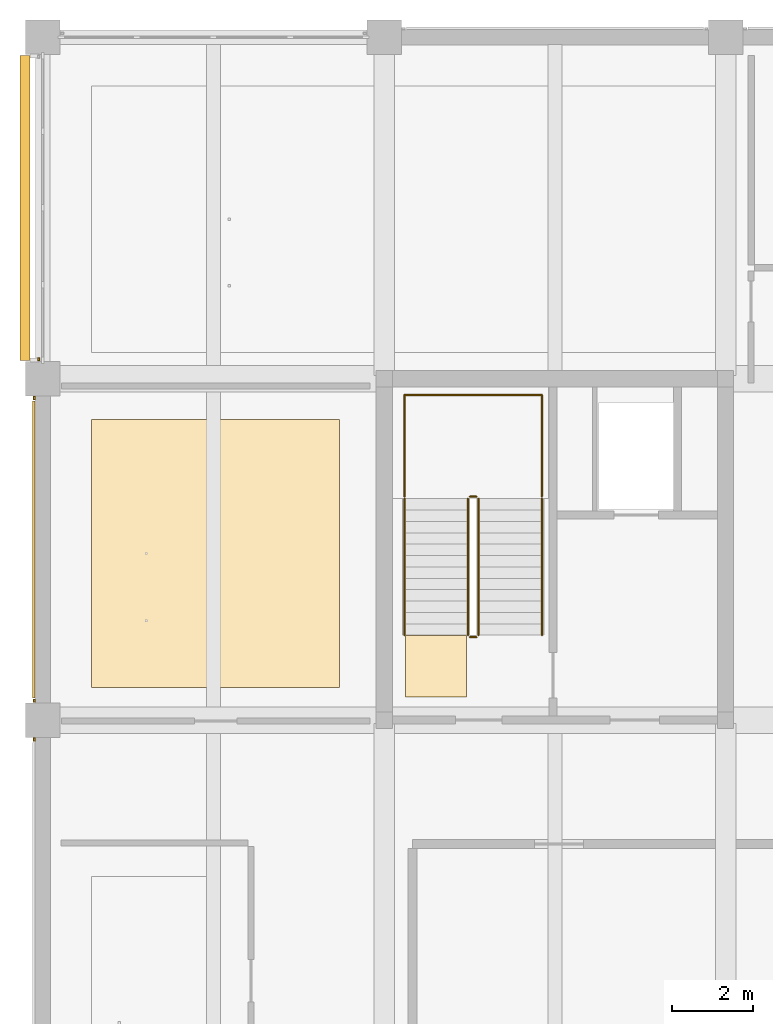
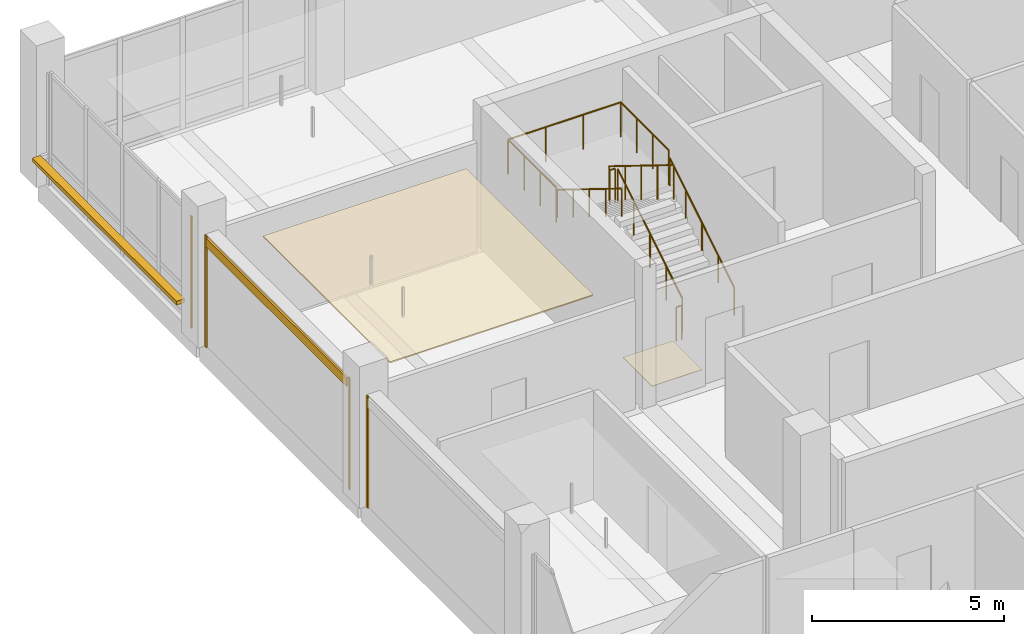
# One storey, part 26 of 36: 7 coverings, 7 railings, 1 shading device.
"""IFC4 building model written with IfcOpenShell, lengths in metres."""

from ifc_helpers import new_model, si_unit, direction, frame, origin, origin_2d, place, context, subcontext, project, spatial, polyline, rectangle, circle, outline, extrude, material, layer, layer_set, type_object, element, save


model = new_model("IFC4")

# Units and contexts
model_context = context("Model", 3, precision=1e-05, world=origin(), true_north=direction((0.0, 1.0)))
body_context = subcontext(model_context, "Body", "Model", "MODEL_VIEW")
ifc_project = project(units=[si_unit("LENGTHUNIT", "METRE"), si_unit("AREAUNIT", "SQUARE_METRE"), si_unit("VOLUMEUNIT", "CUBIC_METRE"), si_unit("PLANEANGLEUNIT", "RADIAN"), si_unit("MASSUNIT", "GRAM", prefix="KILO")], contexts=[model_context])

# Site, building, storey
site_placement = place(None, origin())
site = spatial("IfcSite", under=ifc_project, at=site_placement, CompositionType="ELEMENT")
building_placement = place(site_placement, origin())
building = spatial("IfcBuilding", under=site, at=building_placement, Name="Telukmera Botanical Conservatory", CompositionType="ELEMENT")
storey_placement = place(building_placement, frame((0.0, 0.0, 24.0)))
storey = spatial("IfcBuildingStorey", under=building, at=storey_placement, Name="L05", CompositionType="ELEMENT", Elevation=24.0)

# Coverings
ifc_material_1 = material(Name="Perforated gypsum acoustic ceiling")
ifc_layer_1 = layer(ifc_material_1, 0.0400390625)
ifc_layer_set_1 = layer_set([ifc_layer_1], Name="Perforated gypsum acoustic ceiling")
covering_type_1 = type_object("IfcCoveringType", Name="COV-CEIL-40", PredefinedType="CEILING", material=ifc_layer_set_1)
covering_1_placement = place(storey_placement, frame((0.0, 0.0, 3.31005859375)))
element("IfcCovering", 1, at=covering_1_placement, inside=storey, type_object=covering_type_1, Name="L05 Orchidaceae Curation Studio Suspended Acoustic Ceiling", PredefinedType="CEILING", context=body_context, shape_type="SweptSolid", body=[
    extrude(outline(polyline([(51.60009765625, 26.800048828125), (57.699951171875, 26.800048828125), (57.699951171875, 33.39990234375), (51.60009765625, 33.39990234375), (51.60009765625, 26.800048828125)])), origin(), (0.0, 0.0, 1.0), 0.0400390625),
])
ifc_material_2 = material(Name="Honed granite non-slip flooring", Category="masonry")
ifc_layer_2 = layer(ifc_material_2, 0.011962890625)
ifc_layer_set_2 = layer_set([ifc_layer_2], Name="Honed granite non-slip flooring")
covering_type_2 = type_object("IfcCoveringType", Name="COV-FLR-12", PredefinedType="FLOORING", material=ifc_layer_set_2)
covering_2_placement = place(storey_placement, origin())
element("IfcCovering", 2, at=covering_2_placement, inside=storey, type_object=covering_type_2, Name="L05 ST1 Non-Slip Stair Landing Finish", PredefinedType="FLOORING", context=body_context, shape_type="SweptSolid", body=[
    extrude(outline(polyline([(60.830078125, 26.570068359375), (60.830078125, 28.0849609375), (59.330078125, 28.0849609375), (59.330078125, 26.570068359375), (60.830078125, 26.570068359375)])), origin(), (0.0, 0.0, 1.0), 0.011962890625),
])
ifc_material_3 = material(Name="Granite-faced precast concrete C40/50", Category="masonry")
ifc_layer_3 = layer(ifc_material_3, 0.0400390625)
ifc_layer_set_3 = layer_set([ifc_layer_3], Name="Granite-faced precast concrete C40/50")
covering_type_3 = type_object("IfcCoveringType", Name="Granite Precast Column Pier Reveal Casing", PredefinedType="CLADDING", material=ifc_layer_set_3)
for number, where, z_axis, x_axis, name in (
    (3, (50.18994140625, 25.52294921875, 0.0), (0.0, 0.0, 1.0), (0.0, 1.0, 0.0), "Granite Pier Reveal V4:L05:W2 R"),
    (4, (50.18994140625, 26.47705078125, 0.0), (0.0, 0.0, 1.0), (0.0, 1.0, 0.0), "Granite Pier Reveal V4:L05:W3 L"),
    (5, (50.18994140625, 33.923095703125, 0.0), (0.0, 0.0, 1.0), (0.0, 1.0, 0.0), "Granite Pier Reveal V4:L05:W3 R"),
    (6, (50.300048828125, 34.876953125, 0.0), (0.0, 0.0, 1.0), (0.0, 1.0, 0.0), "Granite Pier Reveal V4:L05:W4 L"),
):
    element("IfcCovering", number, at=place(storey_placement, frame(where, z_axis=z_axis, x_axis=x_axis)), inside=storey, type_object=covering_type_3, Name=name, PredefinedType="CLADDING", context=body_context, shape_type="SweptSolid", body=[
        extrude(rectangle(XDim=0.080078125, YDim=0.0400390625, at=origin_2d()), origin(), (0.0, 0.0, 1.0), 3.550048828125),
    ])

# Shading device
ifc_material_4 = material(Name="Perforated terracotta-anodised aluminium 6063-T6", Category="masonry")
ifc_layer_4 = layer(ifc_material_4, 0.044921875)
ifc_layer_set_4 = layer_set([ifc_layer_4], Name="Perforated terracotta-anodised aluminium 6063-T6")
shading_device_type = type_object("IfcShadingDeviceType", Name="Perforated Terracotta Aluminium Monsoon Brise Soleil", PredefinedType="JALOUSIE", material=ifc_layer_set_4)
shading_device_placement = place(storey_placement, frame((49.9599609375, 38.60009765625, 0.889892578125), z_axis=(0.0, 0.0, 1.0), x_axis=(0.0, 1.0, 0.0)))
element("IfcShadingDevice", 7, at=shading_device_placement, inside=storey, type_object=shading_device_type, Name="Monsoon Shading BS01 V4:L05:W4", PredefinedType="JALOUSIE", context=body_context, shape_type="SweptSolid", body=[
    extrude(rectangle(XDim=7.506103515625, YDim=0.239990234375, at=origin_2d()), origin(), (0.0, 0.0, 1.0), 0.1201171875),
])

# Covering
ifc_material_5 = material(Name="Terracotta-faced precast concrete C40/50", Category="masonry")
ifc_layer_5 = layer(ifc_material_5, 0.06005859375)
ifc_layer_set_5 = layer_set([ifc_layer_5], Name="Terracotta-faced precast concrete C40/50")
covering_type_4 = type_object("IfcCoveringType", Name="Polychrome Terracotta Facade Band Cladding", PredefinedType="CLADDING", material=ifc_layer_set_5)
covering_3_placement = place(storey_placement, frame((50.179931640625, 30.199951171875, 3.22998046875), z_axis=(0.0, 0.0, 1.0), x_axis=(0.0, 1.0, 0.0)))
element("IfcCovering", 8, at=covering_3_placement, inside=storey, type_object=covering_type_4, Name="Polychrome Terracotta Band V4:L05:W3", PredefinedType="CLADDING", context=body_context, shape_type="SweptSolid", body=[
    extrude(rectangle(XDim=7.305908203125, YDim=0.06005859375, at=origin_2d()), origin(), (0.0, 0.0, 1.0), 0.280029296875),
])

# Railings
ifc_material_6 = material(Name="Steel S355", Category="steel")
railing_type_1 = type_object("IfcRailingType", Name="RL-GUARD-1100", PredefinedType="GUARDRAIL", material=ifc_material_6)
railing_1_placement = place(storey_placement, frame((61.1201171875, 28.090087890625, 0.173095703125)))
element("IfcRailing", 9, at=railing_1_placement, inside=storey, type_object=railing_type_1, Name="L05 ST1 stair guard 1", PredefinedType="GUARDRAIL", context=body_context, shape_type="SweptSolid", body=[
    extrude(circle(Radius=0.02392578125, at=origin_2d()), frame((0.0, 0.0, 1.076171875), z_axis=(0.0, 0.850606129759, 0.525803396734), x_axis=(-1.0, 0.0, 0.0)), (0.0, 0.0, 1.0), 3.949951171875),
    extrude(circle(Radius=0.02099609375, at=origin_2d()), origin(), (0.0, 0.0, 1.0), 1.052001953125),
    extrude(circle(Radius=0.02099609375, at=origin_2d()), frame((0.0, 0.83984375, 0.519287109375)), (0.0, 0.0, 1.0), 1.052001953125),
    extrude(circle(Radius=0.02099609375, at=origin_2d()), frame((0.0, 1.679931640625, 1.03857421875)), (0.0, 0.0, 1.0), 1.052001953125),
    extrude(circle(Radius=0.02099609375, at=origin_2d()), frame((0.0, 2.52001953125, 1.5576171875)), (0.0, 0.0, 1.0), 1.052001953125),
    extrude(circle(Radius=0.02099609375, at=origin_2d()), frame((0.0, 3.35986328125, 2.076904296875)), (0.0, 0.0, 1.0), 1.052001953125),
])
railing_2_placement = place(storey_placement, frame((61.070068359375, 31.5, 2.25)))
element("IfcRailing", 10, at=railing_2_placement, inside=storey, type_object=railing_type_1, Name="L05 ST1 stair guard 2", PredefinedType="GUARDRAIL", context=body_context, shape_type="SweptSolid", body=[
    extrude(circle(Radius=0.02392578125, at=origin_2d()), frame((0.0, 0.0, 1.076171875), z_axis=(-1.0, 0.0, 0.0), x_axis=(0.0, -1.0, 0.0)), (0.0, 0.0, 1.0), 0.16015625),
    extrude(circle(Radius=0.02099609375, at=origin_2d()), origin(), (0.0, 0.0, 1.0), 1.052001953125),
    extrude(circle(Radius=0.02099609375, at=origin_2d()), frame((-0.16015625, 0.0, 0.0)), (0.0, 0.0, 1.0), 1.052001953125),
])
railing_3_placement = place(storey_placement, frame((60.860107421875, 31.449951171875, 2.423095703125)))
element("IfcRailing", 11, at=railing_3_placement, inside=storey, type_object=railing_type_1, Name="L05 ST1 stair guard 3", PredefinedType="GUARDRAIL", context=body_context, shape_type="SweptSolid", body=[
    extrude(circle(Radius=0.02392578125, at=origin_2d()), frame((0.0, 0.0, 1.076171875), z_axis=(0.0, -0.850606129759, 0.525803396734), x_axis=(1.0, 0.0, 0.0)), (0.0, 0.0, 1.0), 3.949951171875),
    extrude(circle(Radius=0.02099609375, at=origin_2d()), origin(), (0.0, 0.0, 1.0), 1.052001953125),
    extrude(circle(Radius=0.02099609375, at=origin_2d()), frame((0.0, -0.83984375, 0.519287109375)), (0.0, 0.0, 1.0), 1.052001953125),
    extrude(circle(Radius=0.02099609375, at=origin_2d()), frame((0.0, -1.679931640625, 1.03857421875)), (0.0, 0.0, 1.0), 1.052001953125),
    extrude(circle(Radius=0.02099609375, at=origin_2d()), frame((0.0, -2.52001953125, 1.5576171875)), (0.0, 0.0, 1.0), 1.052001953125),
    extrude(circle(Radius=0.02099609375, at=origin_2d()), frame((0.0, -3.35986328125, 2.076904296875)), (0.0, 0.0, 1.0), 1.052001953125),
])
railing_4_placement = place(storey_placement, frame((61.070068359375, 28.0400390625, 0.0)))
element("IfcRailing", 12, at=railing_4_placement, inside=storey, type_object=railing_type_1, Name="L05 ST1 stair guard 4", PredefinedType="GUARDRAIL", context=body_context, shape_type="SweptSolid", body=[
    extrude(circle(Radius=0.02392578125, at=origin_2d()), frame((0.0, 0.0, 1.076171875), z_axis=(-1.0, 0.0, 0.0), x_axis=(0.0, -1.0, 0.0)), (0.0, 0.0, 1.0), 0.16015625),
    extrude(circle(Radius=0.02099609375, at=origin_2d()), origin(), (0.0, 0.0, 1.0), 1.052001953125),
    extrude(circle(Radius=0.02099609375, at=origin_2d()), frame((-0.16015625, 0.0, 0.0)), (0.0, 0.0, 1.0), 1.052001953125),
])
railing_5_placement = place(storey_placement, frame((62.679931640625, 31.5, 2.25)))
element("IfcRailing", 13, at=railing_5_placement, inside=storey, type_object=railing_type_1, Name="L05 ST1 half-landing perimeter guard 1", PredefinedType="GUARDRAIL", context=body_context, shape_type="SweptSolid", body=[
    extrude(circle(Radius=0.02392578125, at=origin_2d()), frame((0.0, 0.0, 1.09619140625), z_axis=(0.0, 1.0, 0.0), x_axis=(-1.0, 0.0, 0.0)), (0.0, 0.0, 1.0), 2.5),
    extrude(circle(Radius=0.02392578125, at=origin_2d()), frame((0.0, 2.5, 1.09619140625), z_axis=(-1.0, 0.0, 0.0), x_axis=(0.0, -1.0, 0.0)), (0.0, 0.0, 1.0), 3.3798828125),
    extrude(circle(Radius=0.02392578125, at=origin_2d()), frame((-3.3798828125, 2.5, 1.09619140625), z_axis=(0.0, -1.0, 0.0), x_axis=(1.0, 0.0, 0.0)), (0.0, 0.0, 1.0), 2.5),
    extrude(circle(Radius=0.02099609375, at=origin_2d()), origin(), (0.0, 0.0, 1.0), 1.072021484375),
    extrude(circle(Radius=0.02099609375, at=origin_2d()), frame((0.0, 0.833251953125, 0.0)), (0.0, 0.0, 1.0), 1.072021484375),
    extrude(circle(Radius=0.02099609375, at=origin_2d()), frame((0.0, 1.666748046875, 0.0)), (0.0, 0.0, 1.0), 1.072021484375),
    extrude(circle(Radius=0.02099609375, at=origin_2d()), frame((0.0, 2.5, 0.0)), (0.0, 0.0, 1.0), 1.072021484375),
    extrude(circle(Radius=0.02099609375, at=origin_2d()), frame((-1.126708984375, 2.5, 0.0)), (0.0, 0.0, 1.0), 1.072021484375),
    extrude(circle(Radius=0.02099609375, at=origin_2d()), frame((-2.253173828125, 2.5, 0.0)), (0.0, 0.0, 1.0), 1.072021484375),
    extrude(circle(Radius=0.02099609375, at=origin_2d()), frame((-3.3798828125, 2.5, 0.0)), (0.0, 0.0, 1.0), 1.072021484375),
    extrude(circle(Radius=0.02099609375, at=origin_2d()), frame((-3.3798828125, 1.666748046875, 0.0)), (0.0, 0.0, 1.0), 1.072021484375),
    extrude(circle(Radius=0.02099609375, at=origin_2d()), frame((-3.3798828125, 0.833251953125, 0.0)), (0.0, 0.0, 1.0), 1.072021484375),
    extrude(circle(Radius=0.02099609375, at=origin_2d()), frame((-3.3798828125, 0.0, 0.0)), (0.0, 0.0, 1.0), 1.072021484375),
])
ifc_material_7 = material(Name="Stainless steel 316", Category="steel")
railing_type_2 = type_object("IfcRailingType", Name="RL-HAND-900", PredefinedType="HANDRAIL", material=ifc_material_7)
railing_6_placement = place(storey_placement, frame((62.679931640625, 28.090087890625, 0.173095703125)))
element("IfcRailing", 14, at=railing_6_placement, inside=storey, type_object=railing_type_2, Name="L05 ST1 stair handrail 1", PredefinedType="HANDRAIL", context=body_context, shape_type="SweptSolid", body=[
    extrude(circle(Radius=0.02392578125, at=origin_2d()), frame((0.0, 0.0, 0.8759765625), z_axis=(0.0, 0.850606129759, 0.525803396734), x_axis=(-1.0, 0.0, 0.0)), (0.0, 0.0, 1.0), 3.949951171875),
    extrude(circle(Radius=0.02099609375, at=origin_2d()), origin(), (0.0, 0.0, 1.0), 0.851806640625),
    extrude(circle(Radius=0.02099609375, at=origin_2d()), frame((0.0, 0.83984375, 0.519287109375)), (0.0, 0.0, 1.0), 0.851806640625),
    extrude(circle(Radius=0.02099609375, at=origin_2d()), frame((0.0, 1.679931640625, 1.03857421875)), (0.0, 0.0, 1.0), 0.851806640625),
    extrude(circle(Radius=0.02099609375, at=origin_2d()), frame((0.0, 2.52001953125, 1.5576171875)), (0.0, 0.0, 1.0), 0.851806640625),
    extrude(circle(Radius=0.02099609375, at=origin_2d()), frame((0.0, 3.35986328125, 2.076904296875)), (0.0, 0.0, 1.0), 0.851806640625),
])
railing_7_placement = place(storey_placement, frame((59.300048828125, 31.449951171875, 2.423095703125)))
element("IfcRailing", 15, at=railing_7_placement, inside=storey, type_object=railing_type_2, Name="L05 ST1 stair handrail 2", PredefinedType="HANDRAIL", context=body_context, shape_type="SweptSolid", body=[
    extrude(circle(Radius=0.02392578125, at=origin_2d()), frame((0.0, 0.0, 0.8759765625), z_axis=(0.0, -0.850606129759, 0.525803396734), x_axis=(1.0, 0.0, 0.0)), (0.0, 0.0, 1.0), 3.949951171875),
    extrude(circle(Radius=0.02099609375, at=origin_2d()), origin(), (0.0, 0.0, 1.0), 0.851806640625),
    extrude(circle(Radius=0.02099609375, at=origin_2d()), frame((0.0, -0.83984375, 0.519287109375)), (0.0, 0.0, 1.0), 0.851806640625),
    extrude(circle(Radius=0.02099609375, at=origin_2d()), frame((0.0, -1.679931640625, 1.03857421875)), (0.0, 0.0, 1.0), 0.851806640625),
    extrude(circle(Radius=0.02099609375, at=origin_2d()), frame((0.0, -2.52001953125, 1.5576171875)), (0.0, 0.0, 1.0), 0.851806640625),
    extrude(circle(Radius=0.02099609375, at=origin_2d()), frame((0.0, -3.35986328125, 2.076904296875)), (0.0, 0.0, 1.0), 0.851806640625),
])

save(model, "model.ifc")
